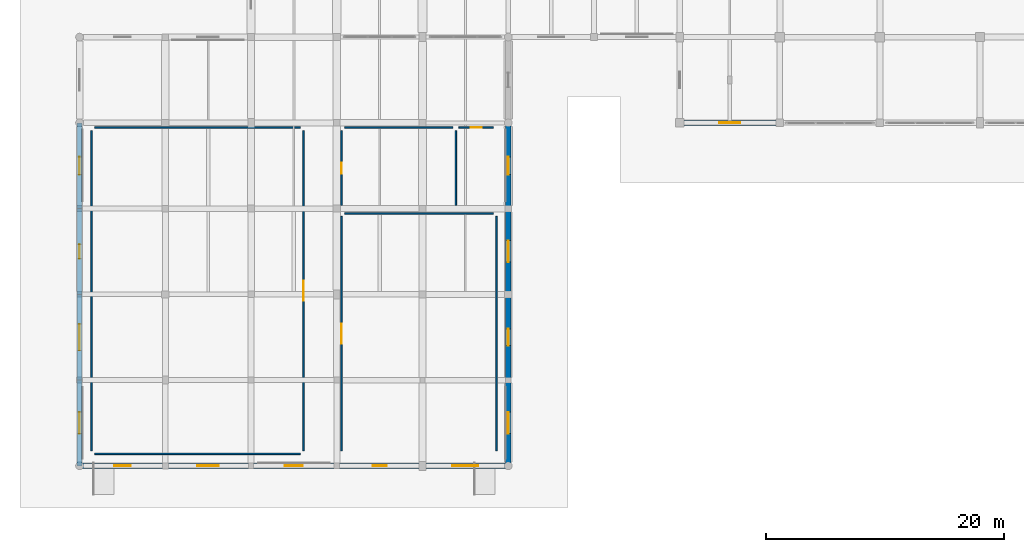
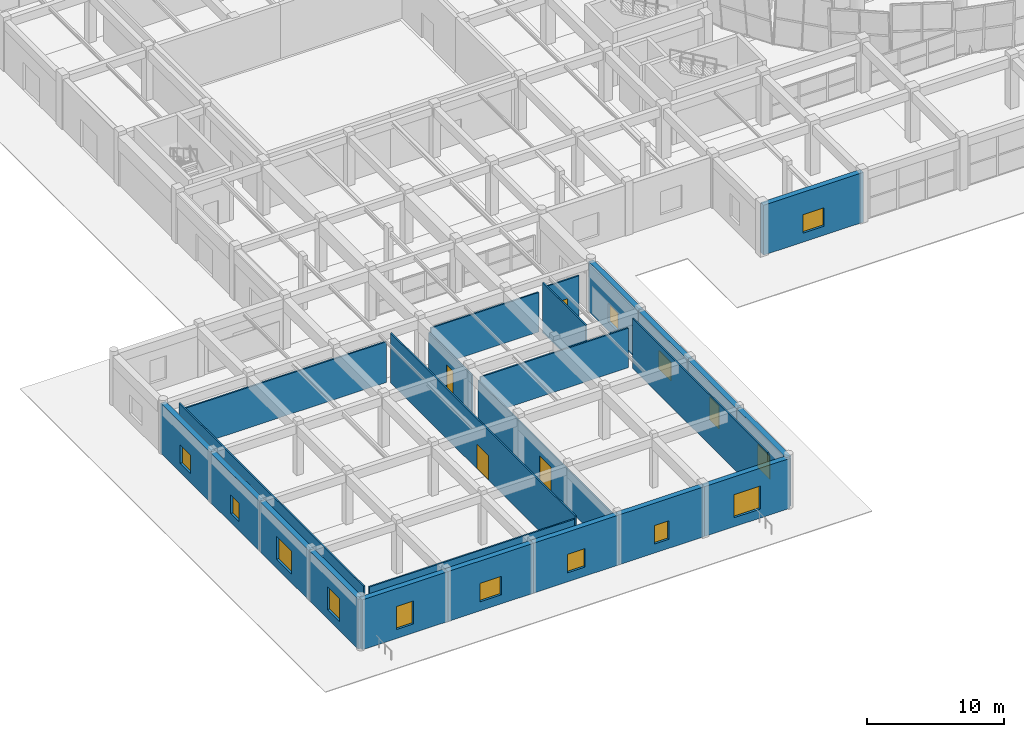
# One storey, part 45 of 72: 25 walls, 14 windows, 4 doors, 18 openings.
"""IFC4 building model written with IfcOpenShell, lengths in metres."""

import ifcopenshell
import ifcopenshell.guid

model = None  # the IFC model being written
_history = None  # IfcOwnerHistory: only IFC2X3 demands one
_inside = {}  # id of a spatial element -> (the spatial element, [elements in it])
_under = {}  # id of a project, library or spatial element -> (it, [spatial elements below it])
_declared = {}  # id of a project -> (the project, [libraries it declares])
_typed = {}  # id of a type object -> (the type object, [elements of that type])
_made_of = {}  # id of a material, layer set ... -> (it, [elements and type objects made of it])


def new_model(schema):
    """Start an empty IFC model of exactly this schema.

    Asked for "IFC4X3", IfcOpenShell would pick the latest addendum, in which some entities
    have other attributes; the version numbers below select the first issue.
    IFC2X3 requires an IfcOwnerHistory on every rooted entity: one is made here for all.
    """
    global model, _history
    if schema == "IFC4X3":
        model = ifcopenshell.file(schema_version=(4, 3, 0, 0))
    else:
        model = ifcopenshell.file(schema=schema)
    _inside.clear()
    _under.clear()
    _declared.clear()
    _typed.clear()
    _made_of.clear()
    _history = None
    if model.schema == "IFC2X3":
        org = make("IfcOrganization", Name="unknown")
        user = make(
            "IfcPersonAndOrganization",
            ThePerson=make("IfcPerson", FamilyName="unknown"),
            TheOrganization=org,
        )
        app = make(
            "IfcApplication",
            ApplicationDeveloper=org,
            Version="unknown",
            ApplicationFullName="unknown",
            ApplicationIdentifier="unknown",
        )
        _history = make(
            "IfcOwnerHistory",
            OwningUser=user,
            OwningApplication=app,
            ChangeAction="ADDED",
            CreationDate=0,
        )
    return model


def make(cls, **values):
    """One entity of the class cls with the attributes given. An attribute that is None is left unset."""
    return model.create_entity(
        cls, **{name: value for name, value in values.items() if value is not None}
    )


def rooted(cls, **values):
    """An entity with a GlobalId (a new one), such as an element, a storey or a relation."""
    return make(cls, GlobalId=ifcopenshell.guid.new(), OwnerHistory=_history, **values)


def si_unit(unit_type, name, prefix=None):
    """IfcSIUnit, for example si_unit("LENGTHUNIT", "METRE", prefix="MILLI")."""
    return make("IfcSIUnit", UnitType=unit_type, Prefix=prefix, Name=name)


def assignment(units):
    """IfcUnitAssignment: the units of a project."""
    return None if units is None else make("IfcUnitAssignment", Units=units)


def point(xyz):
    """IfcCartesianPoint."""
    return None if xyz is None else make("IfcCartesianPoint", Coordinates=xyz)


def direction(xyz):
    """IfcDirection."""
    return None if xyz is None else make("IfcDirection", DirectionRatios=xyz)


def frame(location, z_axis=None, x_axis=None):
    """IfcAxis2Placement3D, a coordinate frame: its origin and axes. An axis left out is left unset."""
    return make(
        "IfcAxis2Placement3D",
        Location=point(location),
        Axis=direction(z_axis),
        RefDirection=direction(x_axis),
    )


def frame_2d(location, x_axis=None):
    """IfcAxis2Placement2D, a coordinate frame in the plane: its origin and x axis."""
    return make(
        "IfcAxis2Placement2D", Location=point(location), RefDirection=direction(x_axis)
    )


def origin():
    """The frame at (0, 0, 0) with its axes left unset."""
    return frame((0.0, 0.0, 0.0))


def place(relative_to, where):
    """IfcLocalPlacement: puts the frame where relative to a parent placement (None: the world)."""
    return make(
        "IfcLocalPlacement", PlacementRelTo=relative_to, RelativePlacement=where
    )


def context(
    kind, dimensions, precision=None, world=None, true_north=None, identifier=None
):
    """IfcGeometricRepresentationContext, for example the 3D "Model" context."""
    return make(
        "IfcGeometricRepresentationContext",
        ContextIdentifier=identifier,
        ContextType=kind,
        CoordinateSpaceDimension=dimensions,
        Precision=precision,
        WorldCoordinateSystem=world,
        TrueNorth=true_north,
    )


def subcontext(parent, identifier, kind, view, scale=None):
    """IfcGeometricRepresentationSubContext, for example "Body" below "Model"."""
    return make(
        "IfcGeometricRepresentationSubContext",
        ContextIdentifier=identifier,
        ContextType=kind,
        ParentContext=parent,
        TargetScale=scale,
        TargetView=view,
    )


def project(units=None, contexts=None):
    """IfcProject with its units and contexts."""
    return rooted(
        "IfcProject",
        Name="project",
        RepresentationContexts=contexts,
        UnitsInContext=assignment(units),
    )


def spatial(cls, under=None, at=None, **own):
    """A site, building, storey or space (cls), placed at a placement, below another one or the project."""
    s = rooted(cls, ObjectPlacement=at, **own)
    if under is not None:
        _under.setdefault(under.id(), (under, []))[1].append(s)
    return s


def profile(cls, at=None, kind="AREA", **sizes):
    """A parametric profile (cls). Its sizes go by their IFC names, for example OverallWidth=200.0."""
    return make(cls, ProfileType=kind, Position=at, **sizes)


def rectangle(**sizes):
    """IfcRectangleProfileDef."""
    return profile("IfcRectangleProfileDef", **sizes)


def extrude(swept, where, along, depth):
    """IfcExtrudedAreaSolid: the profile swept, set in the frame where, extruded along a direction by depth."""
    return make(
        "IfcExtrudedAreaSolid",
        SweptArea=swept,
        Position=where,
        ExtrudedDirection=direction(along),
        Depth=depth,
    )


def shape(context_of_items, identifier, shape_type, items):
    """IfcShapeRepresentation: the items that make up one representation, for example the "Body"."""
    return make(
        "IfcShapeRepresentation",
        ContextOfItems=context_of_items,
        RepresentationIdentifier=identifier,
        RepresentationType=shape_type,
        Items=items,
    )


def material(Name=None, Category=None):
    """IfcMaterial."""
    return make("IfcMaterial", Name=Name, Category=Category)


def layer(
    of_material, thickness, ventilated=None, Name=None, Category=None, Priority=None
):
    """IfcMaterialLayer: one layer of a wall or slab, of a material (None: an air gap)."""
    return make(
        "IfcMaterialLayer",
        Material=of_material,
        LayerThickness=thickness,
        IsVentilated=ventilated,
        Name=Name,
        Category=Category,
        Priority=Priority,
    )


def layer_set(layers, Name=None):
    """IfcMaterialLayerSet."""
    return make("IfcMaterialLayerSet", MaterialLayers=layers, LayerSetName=Name)


def made_of(thing, what):
    """Note that an element or type object is made of a material, layer set ...; save() writes the relation."""
    if what is not None:
        _made_of.setdefault(what.id(), (what, []))[1].append(thing)
    return thing


def type_object(cls, material=None, **own):
    """A type object (cls), such as IfcWallType, which elements share."""
    return made_of(rooted(cls, **own), material)


def element(
    cls,
    number,
    at=None,
    inside=None,
    cuts=None,
    type_object=None,
    material=None,
    context=None,
    identifier="Body",
    shape_type=None,
    held_by="IfcProductDefinitionShape",
    body=None,
    shapes=None,
    **own,
):
    """One element of the class cls, such as IfcWall. Its Tag is "e" and its number.

    at: its placement. inside: the storey or other place that contains it. cuts: it is an
    opening in that element (IfcRelVoidsElement). A single representation is given by context,
    identifier, shape_type and body (its items); several are given by shapes. held_by: the class
    of the entity that holds the representations. save() writes the other relations.
    """
    e = rooted(cls, Tag="e%d" % number, ObjectPlacement=at, **own)
    if body is not None:
        shapes = [shape(context, identifier, shape_type, body)]
    if shapes is not None:
        e.Representation = make(held_by, Representations=shapes)
    if inside is not None:
        _inside.setdefault(inside.id(), (inside, []))[1].append(e)
    if cuts is not None:
        rooted(
            "IfcRelVoidsElement", RelatingBuildingElement=cuts, RelatedOpeningElement=e
        )
    if type_object is not None:
        _typed.setdefault(type_object.id(), (type_object, []))[1].append(e)
    return made_of(e, material)


def fill(opening, filler):
    """IfcRelFillsElement: the door or window that sits in an opening."""
    return rooted(
        "IfcRelFillsElement",
        RelatingOpeningElement=opening,
        RelatedBuildingElement=filler,
    )


def aggregate(whole, parts):
    """IfcRelAggregates: a whole, such as a stair, and the parts it consists of."""
    return rooted("IfcRelAggregates", RelatingObject=whole, RelatedObjects=parts)


def save(model, path):
    """Write the relations noted so far, then the file.

    IfcRelAggregates (storeys below a building ...), IfcRelContainedInSpatialStructure (elements
    in a storey), IfcRelDefinesByType, IfcRelAssociatesMaterial and IfcRelDeclares: one each for
    every whole, place, type object, material and project.
    """
    for whole, parts in _under.values():
        aggregate(whole, parts)
    for where, things in _inside.values():
        rooted(
            "IfcRelContainedInSpatialStructure",
            RelatedElements=things,
            RelatingStructure=where,
        )
    for kind, things in _typed.values():
        rooted("IfcRelDefinesByType", RelatedObjects=things, RelatingType=kind)
    for what, things in _made_of.values():
        rooted("IfcRelAssociatesMaterial", RelatedObjects=things, RelatingMaterial=what)
    for by, libraries in _declared.values():
        rooted("IfcRelDeclares", RelatingContext=by, RelatedDefinitions=libraries)
    model.write(path)


model = new_model("IFC4")

# Units and contexts
model_context = context("Model", 3, precision=1e-05, world=origin(), true_north=direction((0.0, 1.0)))
body_context = subcontext(model_context, "Body", "Model", "MODEL_VIEW")
ifc_project = project(units=[si_unit("LENGTHUNIT", "METRE"), si_unit("AREAUNIT", "SQUARE_METRE"), si_unit("VOLUMEUNIT", "CUBIC_METRE"), si_unit("PLANEANGLEUNIT", "RADIAN"), si_unit("MASSUNIT", "GRAM", prefix="KILO")], contexts=[model_context])

# Site, building, storey
site_placement = place(None, origin())
site = spatial("IfcSite", under=ifc_project, at=site_placement, CompositionType="ELEMENT")
building_placement = place(site_placement, origin())
building = spatial("IfcBuilding", under=site, at=building_placement, Name="Korsvaeld Concert Hall", CompositionType="ELEMENT")
storey_placement = place(building_placement, origin())
storey = spatial("IfcBuildingStorey", under=building, at=storey_placement, Name="L00", CompositionType="ELEMENT", Elevation=0.0)

# Wall, opening, window
ifc_material_1 = material(Name="Coastal dark grey granite plinth on Concrete C35/45", Category="masonry")
ifc_layer_1 = layer(ifc_material_1, 0.43994140625)
ifc_layer_set_1 = layer_set([ifc_layer_1], Name="Coastal dark grey granite plinth on Concrete C35/45")
wall_type_1 = type_object("IfcWallType", Name="WL-EXT-GRAN-440", PredefinedType="STANDARD", material=ifc_layer_set_1)
wall_1_placement = place(storey_placement, frame((58.800048828125, 28.800048828125, 0.0), z_axis=(0.0, 0.0, 1.0), x_axis=(-1.0, 0.0, 0.0)))
wall_1 = element("IfcWall", 1, at=wall_1_placement, inside=storey, type_object=wall_type_1, Name="Exterior sandstone wall L00-118", PredefinedType="STANDARD", context=body_context, shape_type="SweptSolid", body=[
    extrude(rectangle(XDim=8.400146484375, YDim=0.43994140625, at=frame_2d((4.2001953125, 0.0))), origin(), (0.0, 0.0, 1.0), 4.43994140625),
])
opening_1_placement = place(wall_1_placement, frame((3.300048828125, 0.0, 0.800048828125)))
opening_1 = element("IfcOpeningElement", 2, at=opening_1_placement, cuts=wall_1, Name="Opening WN-03", PredefinedType="OPENING", context=body_context, shape_type="SweptSolid", body=[
    extrude(rectangle(XDim=1.800048828125, YDim=1.64990234375, at=frame_2d((0.89990234375, 0.824951171875))), frame((0.0, 0.22998046875, 0.0), z_axis=(0.0, -1.0, 0.0), x_axis=(1.0, 0.0, 0.0)), (0.0, 0.0, 1.0), 0.4599609375),
])
ifc_material_2 = material(Name="Anodised bronze frame with acoustic triple glazing", Category="glass")
window_type_1 = type_object("IfcWindowType", Name="WIN-AC-180x165", PartitioningType="SINGLE_PANEL", PredefinedType="WINDOW", material=ifc_material_2)
window_1_placement = place(opening_1_placement, origin())
window_1 = element("IfcWindow", 3, at=window_1_placement, inside=storey, type_object=window_type_1, Name="Acoustic triple-glazed window L00-029", OverallHeight=1.64990234375, OverallWidth=1.800048828125, PartitioningType="SINGLE_PANEL", PredefinedType="WINDOW", context=body_context, shape_type="SweptSolid", body=[
    extrude(rectangle(XDim=1.800048828125, YDim=1.64990234375, at=frame_2d((0.89990234375, 0.824951171875))), frame((0.0, 0.030029296875, 0.0), z_axis=(0.0, -1.0, 0.0), x_axis=(1.0, 0.0, 0.0)), (0.0, 0.0, 1.0), 0.06005859375),
])
fill(opening_1, window_1)

wall_2_placement = place(storey_placement, frame((36.0, 28.800048828125, 0.0), z_axis=(0.0, 0.0, 1.0), x_axis=(0.0, -1.0, 0.0)))
wall_2 = element("IfcWall", 4, at=wall_2_placement, inside=storey, type_object=wall_type_1, Name="Exterior sandstone wall L00-123", PredefinedType="STANDARD", context=body_context, shape_type="SweptSolid", body=[
    extrude(rectangle(XDim=7.199951171875, YDim=0.43994140625, at=frame_2d((3.60009765625, 0.0))), origin(), (0.0, 0.0, 1.0), 4.43994140625),
])
opening_2_placement = place(wall_2_placement, frame((2.85009765625, 0.0, 0.800048828125)))
opening_2 = element("IfcOpeningElement", 5, at=opening_2_placement, cuts=wall_2, Name="Opening WN-02", PredefinedType="OPENING", context=body_context, shape_type="SweptSolid", body=[
    extrude(rectangle(XDim=1.5, YDim=1.64990234375, at=frame_2d((0.75, 0.824951171875))), frame((0.0, 0.22998046875, 0.0), z_axis=(0.0, -1.0, 0.0), x_axis=(1.0, 0.0, 0.0)), (0.0, 0.0, 1.0), 0.4599609375),
])
window_type_2 = type_object("IfcWindowType", Name="WIN-AC-150x165", PartitioningType="SINGLE_PANEL", PredefinedType="WINDOW", material=ifc_material_2)
window_2_placement = place(opening_2_placement, origin())
window_2 = element("IfcWindow", 6, at=window_2_placement, inside=storey, type_object=window_type_2, Name="Acoustic triple-glazed window L00-034", OverallHeight=1.64990234375, OverallWidth=1.5, PartitioningType="SINGLE_PANEL", PredefinedType="WINDOW", context=body_context, shape_type="SweptSolid", body=[
    extrude(rectangle(XDim=1.5, YDim=1.64990234375, at=frame_2d((0.75, 0.824951171875))), frame((0.0, 0.030029296875, 0.0), z_axis=(0.0, -1.0, 0.0), x_axis=(1.0, 0.0, 0.0)), (0.0, 0.0, 1.0), 0.06005859375),
])
fill(opening_2, window_2)

wall_3_placement = place(storey_placement, frame((36.0, 21.60009765625, 0.0), z_axis=(0.0, 0.0, 1.0), x_axis=(0.0, -1.0, 0.0)))
wall_3 = element("IfcWall", 7, at=wall_3_placement, inside=storey, type_object=wall_type_1, Name="Exterior sandstone wall L00-124", PredefinedType="STANDARD", context=body_context, shape_type="SweptSolid", body=[
    extrude(rectangle(XDim=7.2001953125, YDim=0.43994140625, at=frame_2d((3.60009765625, 0.0))), origin(), (0.0, 0.0, 1.0), 4.43994140625),
])
opening_3_placement = place(wall_3_placement, frame((2.699951171875, 0.0, 0.800048828125)))
opening_3 = element("IfcOpeningElement", 8, at=opening_3_placement, cuts=wall_3, Name="Opening WN-03", PredefinedType="OPENING", context=body_context, shape_type="SweptSolid", body=[
    extrude(rectangle(XDim=1.800048828125, YDim=1.64990234375, at=frame_2d((0.89990234375, 0.824951171875))), frame((0.0, 0.22998046875, 0.0), z_axis=(0.0, -1.0, 0.0), x_axis=(1.0, 0.0, 0.0)), (0.0, 0.0, 1.0), 0.4599609375),
])
window_3_placement = place(opening_3_placement, origin())
window_3 = element("IfcWindow", 9, at=window_3_placement, inside=storey, type_object=window_type_1, Name="Acoustic triple-glazed window L00-035", OverallHeight=1.64990234375, OverallWidth=1.800048828125, PartitioningType="SINGLE_PANEL", PredefinedType="WINDOW", context=body_context, shape_type="SweptSolid", body=[
    extrude(rectangle(XDim=1.800048828125, YDim=1.64990234375, at=frame_2d((0.89990234375, 0.824951171875))), frame((0.0, 0.030029296875, 0.0), z_axis=(0.0, -1.0, 0.0), x_axis=(1.0, 0.0, 0.0)), (0.0, 0.0, 1.0), 0.06005859375),
])
fill(opening_3, window_3)

wall_4_placement = place(storey_placement, frame((36.0, 14.39990234375, 0.0), z_axis=(0.0, 0.0, 1.0), x_axis=(0.0, -1.0, 0.0)))
wall_4 = element("IfcWall", 10, at=wall_4_placement, inside=storey, type_object=wall_type_1, Name="Exterior sandstone wall L00-125", PredefinedType="STANDARD", context=body_context, shape_type="SweptSolid", body=[
    extrude(rectangle(XDim=7.199951171875, YDim=0.43994140625, at=frame_2d((3.60009765625, 0.0))), origin(), (0.0, 0.0, 1.0), 4.43994140625),
])
opening_4_placement = place(wall_4_placement, frame((2.89990234375, 0.0, 0.800048828125)))
opening_4 = element("IfcOpeningElement", 11, at=opening_4_placement, cuts=wall_4, Name="Opening WN-11", PredefinedType="OPENING", context=body_context, shape_type="SweptSolid", body=[
    extrude(rectangle(XDim=1.39990234375, YDim=2.050048828125, at=frame_2d((0.699951171875, 1.02490234375))), frame((0.0, 0.22998046875, 0.0), z_axis=(0.0, -1.0, 0.0), x_axis=(1.0, 0.0, 0.0)), (0.0, 0.0, 1.0), 0.4599609375),
])
window_type_3 = type_object("IfcWindowType", Name="WIN-AC-140x205", PartitioningType="SINGLE_PANEL", PredefinedType="WINDOW", material=ifc_material_2)
window_4_placement = place(opening_4_placement, origin())
window_4 = element("IfcWindow", 12, at=window_4_placement, inside=storey, type_object=window_type_3, Name="Acoustic triple-glazed window L00-036", OverallHeight=2.050048828125, OverallWidth=1.39990234375, PartitioningType="SINGLE_PANEL", PredefinedType="WINDOW", context=body_context, shape_type="SweptSolid", body=[
    extrude(rectangle(XDim=1.39990234375, YDim=2.050048828125, at=frame_2d((0.699951171875, 1.02490234375))), frame((0.0, 0.030029296875, 0.0), z_axis=(0.0, -1.0, 0.0), x_axis=(1.0, 0.0, 0.0)), (0.0, 0.0, 1.0), 0.06005859375),
])
fill(opening_4, window_4)

wall_5_placement = place(storey_placement, frame((36.0, 7.199951171875, 0.0), z_axis=(0.0, 0.0, 1.0), x_axis=(0.0, -1.0, 0.0)))
wall_5 = element("IfcWall", 13, at=wall_5_placement, inside=storey, type_object=wall_type_1, Name="Exterior sandstone wall L00-126", PredefinedType="STANDARD", context=body_context, shape_type="SweptSolid", body=[
    extrude(rectangle(XDim=7.199951171875, YDim=0.43994140625, at=frame_2d((3.60009765625, 0.0))), origin(), (0.0, 0.0, 1.0), 4.43994140625),
])
opening_5_placement = place(wall_5_placement, frame((2.699951171875, 0.0, 0.800048828125)))
opening_5 = element("IfcOpeningElement", 14, at=opening_5_placement, cuts=wall_5, Name="Opening WN-12", PredefinedType="OPENING", context=body_context, shape_type="SweptSolid", body=[
    extrude(rectangle(XDim=1.800048828125, YDim=2.050048828125, at=frame_2d((0.89990234375, 1.02490234375))), frame((0.0, 0.22998046875, 0.0), z_axis=(0.0, -1.0, 0.0), x_axis=(1.0, 0.0, 0.0)), (0.0, 0.0, 1.0), 0.4599609375),
])
window_type_4 = type_object("IfcWindowType", Name="WIN-AC-180x205", PartitioningType="SINGLE_PANEL", PredefinedType="WINDOW", material=ifc_material_2)
window_5_placement = place(opening_5_placement, origin())
window_5 = element("IfcWindow", 15, at=window_5_placement, inside=storey, type_object=window_type_4, Name="Acoustic triple-glazed window L00-037", OverallHeight=2.050048828125, OverallWidth=1.800048828125, PartitioningType="SINGLE_PANEL", PredefinedType="WINDOW", context=body_context, shape_type="SweptSolid", body=[
    extrude(rectangle(XDim=1.800048828125, YDim=2.050048828125, at=frame_2d((0.89990234375, 1.02490234375))), frame((0.0, 0.030029296875, 0.0), z_axis=(0.0, -1.0, 0.0), x_axis=(1.0, 0.0, 0.0)), (0.0, 0.0, 1.0), 0.06005859375),
])
fill(opening_5, window_5)

wall_6_placement = place(storey_placement, frame((36.0, 0.0, 0.0), z_axis=(0.0, 0.0, 1.0), x_axis=(-1.0, 0.0, 0.0)))
wall_6 = element("IfcWall", 16, at=wall_6_placement, inside=storey, type_object=wall_type_1, Name="Exterior sandstone wall L00-127", PredefinedType="STANDARD", context=body_context, shape_type="SweptSolid", body=[
    extrude(rectangle(XDim=7.199951171875, YDim=0.43994140625, at=frame_2d((3.60009765625, 0.0))), origin(), (0.0, 0.0, 1.0), 4.43994140625),
])
opening_6_placement = place(wall_6_placement, frame((2.5, 0.0, 0.800048828125)))
opening_6 = element("IfcOpeningElement", 17, at=opening_6_placement, cuts=wall_6, Name="Opening WN-13", PredefinedType="OPENING", context=body_context, shape_type="SweptSolid", body=[
    extrude(rectangle(XDim=2.199951171875, YDim=2.050048828125, at=frame_2d((1.10009765625, 1.02490234375))), frame((0.0, 0.22998046875, 0.0), z_axis=(0.0, -1.0, 0.0), x_axis=(1.0, 0.0, 0.0)), (0.0, 0.0, 1.0), 0.4599609375),
])
window_type_5 = type_object("IfcWindowType", Name="WIN-AC-220x205", PartitioningType="SINGLE_PANEL", PredefinedType="WINDOW", material=ifc_material_2)
window_6_placement = place(opening_6_placement, origin())
window_6 = element("IfcWindow", 18, at=window_6_placement, inside=storey, type_object=window_type_5, Name="Acoustic triple-glazed window L00-038", OverallHeight=2.050048828125, OverallWidth=2.199951171875, PartitioningType="SINGLE_PANEL", PredefinedType="WINDOW", context=body_context, shape_type="SweptSolid", body=[
    extrude(rectangle(XDim=2.199951171875, YDim=2.050048828125, at=frame_2d((1.10009765625, 1.02490234375))), frame((0.0, 0.030029296875, 0.0), z_axis=(0.0, -1.0, 0.0), x_axis=(1.0, 0.0, 0.0)), (0.0, 0.0, 1.0), 0.06005859375),
])
fill(opening_6, window_6)

wall_7_placement = place(storey_placement, frame((28.800048828125, 0.0, 0.0), z_axis=(0.0, 0.0, 1.0), x_axis=(-1.0, 0.0, 0.0)))
wall_7 = element("IfcWall", 19, at=wall_7_placement, inside=storey, type_object=wall_type_1, Name="Exterior sandstone wall L00-128", PredefinedType="STANDARD", context=body_context, shape_type="SweptSolid", body=[
    extrude(rectangle(XDim=7.199951171875, YDim=0.43994140625, at=frame_2d((3.60009765625, 0.0))), origin(), (0.0, 0.0, 1.0), 4.43994140625),
])
opening_7_placement = place(wall_7_placement, frame((3.0, 0.0, 0.800048828125)))
opening_7 = element("IfcOpeningElement", 20, at=opening_7_placement, cuts=wall_7, Name="Opening WN-01", PredefinedType="OPENING", context=body_context, shape_type="SweptSolid", body=[
    extrude(rectangle(XDim=1.199951171875, YDim=1.64990234375, at=frame_2d((0.60009765625, 0.824951171875))), frame((0.0, 0.22998046875, 0.0), z_axis=(0.0, -1.0, 0.0), x_axis=(1.0, 0.0, 0.0)), (0.0, 0.0, 1.0), 0.4599609375),
])
window_type_6 = type_object("IfcWindowType", Name="WIN-AC-120x165", PartitioningType="SINGLE_PANEL", PredefinedType="WINDOW", material=ifc_material_2)
window_7_placement = place(opening_7_placement, origin())
window_7 = element("IfcWindow", 21, at=window_7_placement, inside=storey, type_object=window_type_6, Name="Acoustic triple-glazed window L00-039", OverallHeight=1.64990234375, OverallWidth=1.199951171875, PartitioningType="SINGLE_PANEL", PredefinedType="WINDOW", context=body_context, shape_type="SweptSolid", body=[
    extrude(rectangle(XDim=1.199951171875, YDim=1.64990234375, at=frame_2d((0.60009765625, 0.824951171875))), frame((0.0, 0.030029296875, 0.0), z_axis=(0.0, -1.0, 0.0), x_axis=(1.0, 0.0, 0.0)), (0.0, 0.0, 1.0), 0.06005859375),
])
fill(opening_7, window_7)

wall_8_placement = place(storey_placement, frame((21.60009765625, 0.0, 0.0), z_axis=(0.0, 0.0, 1.0), x_axis=(-1.0, 0.0, 0.0)))
wall_8 = element("IfcWall", 22, at=wall_8_placement, inside=storey, type_object=wall_type_1, Name="Exterior sandstone wall L00-129", PredefinedType="STANDARD", context=body_context, shape_type="SweptSolid", body=[
    extrude(rectangle(XDim=7.2001953125, YDim=0.43994140625, at=frame_2d((3.60009765625, 0.0))), origin(), (0.0, 0.0, 1.0), 4.43994140625),
])
opening_8_placement = place(wall_8_placement, frame((2.85009765625, 0.0, 0.800048828125)))
opening_8 = element("IfcOpeningElement", 23, at=opening_8_placement, cuts=wall_8, Name="Opening WN-02", PredefinedType="OPENING", context=body_context, shape_type="SweptSolid", body=[
    extrude(rectangle(XDim=1.5, YDim=1.64990234375, at=frame_2d((0.75, 0.824951171875))), frame((0.0, 0.22998046875, 0.0), z_axis=(0.0, -1.0, 0.0), x_axis=(1.0, 0.0, 0.0)), (0.0, 0.0, 1.0), 0.4599609375),
])
window_8_placement = place(opening_8_placement, origin())
window_8 = element("IfcWindow", 24, at=window_8_placement, inside=storey, type_object=window_type_2, Name="Acoustic triple-glazed window L00-040", OverallHeight=1.64990234375, OverallWidth=1.5, PartitioningType="SINGLE_PANEL", PredefinedType="WINDOW", context=body_context, shape_type="SweptSolid", body=[
    extrude(rectangle(XDim=1.5, YDim=1.64990234375, at=frame_2d((0.75, 0.824951171875))), frame((0.0, 0.030029296875, 0.0), z_axis=(0.0, -1.0, 0.0), x_axis=(1.0, 0.0, 0.0)), (0.0, 0.0, 1.0), 0.06005859375),
])
fill(opening_8, window_8)

wall_9_placement = place(storey_placement, frame((14.39990234375, 0.0, 0.0), z_axis=(0.0, 0.0, 1.0), x_axis=(-1.0, 0.0, 0.0)))
wall_9 = element("IfcWall", 25, at=wall_9_placement, inside=storey, type_object=wall_type_1, Name="Exterior sandstone wall L00-130", PredefinedType="STANDARD", context=body_context, shape_type="SweptSolid", body=[
    extrude(rectangle(XDim=7.199951171875, YDim=0.43994140625, at=frame_2d((3.60009765625, 0.0))), origin(), (0.0, 0.0, 1.0), 4.43994140625),
])
opening_9_placement = place(wall_9_placement, frame((2.699951171875, 0.0, 0.800048828125)))
opening_9 = element("IfcOpeningElement", 26, at=opening_9_placement, cuts=wall_9, Name="Opening WN-03", PredefinedType="OPENING", context=body_context, shape_type="SweptSolid", body=[
    extrude(rectangle(XDim=1.800048828125, YDim=1.64990234375, at=frame_2d((0.89990234375, 0.824951171875))), frame((0.0, 0.22998046875, 0.0), z_axis=(0.0, -1.0, 0.0), x_axis=(1.0, 0.0, 0.0)), (0.0, 0.0, 1.0), 0.4599609375),
])
window_9_placement = place(opening_9_placement, origin())
window_9 = element("IfcWindow", 27, at=window_9_placement, inside=storey, type_object=window_type_1, Name="Acoustic triple-glazed window L00-041", OverallHeight=1.64990234375, OverallWidth=1.800048828125, PartitioningType="SINGLE_PANEL", PredefinedType="WINDOW", context=body_context, shape_type="SweptSolid", body=[
    extrude(rectangle(XDim=1.800048828125, YDim=1.64990234375, at=frame_2d((0.89990234375, 0.824951171875))), frame((0.0, 0.030029296875, 0.0), z_axis=(0.0, -1.0, 0.0), x_axis=(1.0, 0.0, 0.0)), (0.0, 0.0, 1.0), 0.06005859375),
])
fill(opening_9, window_9)

wall_10_placement = place(storey_placement, frame((7.199951171875, 0.0, 0.0), z_axis=(0.0, 0.0, 1.0), x_axis=(-1.0, 0.0, 0.0)))
wall_10 = element("IfcWall", 28, at=wall_10_placement, inside=storey, type_object=wall_type_1, Name="Exterior sandstone wall L00-131", PredefinedType="STANDARD", context=body_context, shape_type="SweptSolid", body=[
    extrude(rectangle(XDim=7.199951171875, YDim=0.43994140625, at=frame_2d((3.60009765625, 0.0))), origin(), (0.0, 0.0, 1.0), 4.43994140625),
])
opening_10_placement = place(wall_10_placement, frame((2.89990234375, 0.0, 0.800048828125)))
opening_10 = element("IfcOpeningElement", 29, at=opening_10_placement, cuts=wall_10, Name="Opening WN-11", PredefinedType="OPENING", context=body_context, shape_type="SweptSolid", body=[
    extrude(rectangle(XDim=1.39990234375, YDim=2.050048828125, at=frame_2d((0.699951171875, 1.02490234375))), frame((0.0, 0.22998046875, 0.0), z_axis=(0.0, -1.0, 0.0), x_axis=(1.0, 0.0, 0.0)), (0.0, 0.0, 1.0), 0.4599609375),
])
window_10_placement = place(opening_10_placement, origin())
window_10 = element("IfcWindow", 30, at=window_10_placement, inside=storey, type_object=window_type_3, Name="Acoustic triple-glazed window L00-042", OverallHeight=2.050048828125, OverallWidth=1.39990234375, PartitioningType="SINGLE_PANEL", PredefinedType="WINDOW", context=body_context, shape_type="SweptSolid", body=[
    extrude(rectangle(XDim=1.39990234375, YDim=2.050048828125, at=frame_2d((0.699951171875, 1.02490234375))), frame((0.0, 0.030029296875, 0.0), z_axis=(0.0, -1.0, 0.0), x_axis=(1.0, 0.0, 0.0)), (0.0, 0.0, 1.0), 0.06005859375),
])
fill(opening_10, window_10)

wall_11_placement = place(storey_placement, frame((0.0, 0.0, 0.0), z_axis=(0.0, 0.0, 1.0), x_axis=(0.0, 1.0, 0.0)))
wall_11 = element("IfcWall", 31, at=wall_11_placement, inside=storey, type_object=wall_type_1, Name="Exterior sandstone wall L00-132", PredefinedType="STANDARD", context=body_context, shape_type="SweptSolid", body=[
    extrude(rectangle(XDim=7.199951171875, YDim=0.43994140625, at=frame_2d((3.60009765625, 0.0))), origin(), (0.0, 0.0, 1.0), 4.43994140625),
])
opening_11_placement = place(wall_11_placement, frame((2.699951171875, 0.0, 0.800048828125)))
opening_11 = element("IfcOpeningElement", 32, at=opening_11_placement, cuts=wall_11, Name="Opening WN-12", PredefinedType="OPENING", context=body_context, shape_type="SweptSolid", body=[
    extrude(rectangle(XDim=1.800048828125, YDim=2.050048828125, at=frame_2d((0.89990234375, 1.02490234375))), frame((0.0, 0.22998046875, 0.0), z_axis=(0.0, -1.0, 0.0), x_axis=(1.0, 0.0, 0.0)), (0.0, 0.0, 1.0), 0.4599609375),
])
window_11_placement = place(opening_11_placement, origin())
window_11 = element("IfcWindow", 33, at=window_11_placement, inside=storey, type_object=window_type_4, Name="Acoustic triple-glazed window L00-043", OverallHeight=2.050048828125, OverallWidth=1.800048828125, PartitioningType="SINGLE_PANEL", PredefinedType="WINDOW", context=body_context, shape_type="SweptSolid", body=[
    extrude(rectangle(XDim=1.800048828125, YDim=2.050048828125, at=frame_2d((0.89990234375, 1.02490234375))), frame((0.0, 0.030029296875, 0.0), z_axis=(0.0, -1.0, 0.0), x_axis=(1.0, 0.0, 0.0)), (0.0, 0.0, 1.0), 0.06005859375),
])
fill(opening_11, window_11)

wall_12_placement = place(storey_placement, frame((0.0, 7.199951171875, 0.0), z_axis=(0.0, 0.0, 1.0), x_axis=(0.0, 1.0, 0.0)))
wall_12 = element("IfcWall", 34, at=wall_12_placement, inside=storey, type_object=wall_type_1, Name="Exterior sandstone wall L00-133", PredefinedType="STANDARD", context=body_context, shape_type="SweptSolid", body=[
    extrude(rectangle(XDim=7.199951171875, YDim=0.43994140625, at=frame_2d((3.60009765625, 0.0))), origin(), (0.0, 0.0, 1.0), 4.43994140625),
])
opening_12_placement = place(wall_12_placement, frame((2.5, 0.0, 0.800048828125)))
opening_12 = element("IfcOpeningElement", 35, at=opening_12_placement, cuts=wall_12, Name="Opening WN-13", PredefinedType="OPENING", context=body_context, shape_type="SweptSolid", body=[
    extrude(rectangle(XDim=2.199951171875, YDim=2.050048828125, at=frame_2d((1.10009765625, 1.02490234375))), frame((0.0, 0.22998046875, 0.0), z_axis=(0.0, -1.0, 0.0), x_axis=(1.0, 0.0, 0.0)), (0.0, 0.0, 1.0), 0.4599609375),
])
window_12_placement = place(opening_12_placement, origin())
window_12 = element("IfcWindow", 36, at=window_12_placement, inside=storey, type_object=window_type_5, Name="Acoustic triple-glazed window L00-044", OverallHeight=2.050048828125, OverallWidth=2.199951171875, PartitioningType="SINGLE_PANEL", PredefinedType="WINDOW", context=body_context, shape_type="SweptSolid", body=[
    extrude(rectangle(XDim=2.199951171875, YDim=2.050048828125, at=frame_2d((1.10009765625, 1.02490234375))), frame((0.0, 0.030029296875, 0.0), z_axis=(0.0, -1.0, 0.0), x_axis=(1.0, 0.0, 0.0)), (0.0, 0.0, 1.0), 0.06005859375),
])
fill(opening_12, window_12)

wall_13_placement = place(storey_placement, frame((0.0, 14.39990234375, 0.0), z_axis=(0.0, 0.0, 1.0), x_axis=(0.0, 1.0, 0.0)))
wall_13 = element("IfcWall", 37, at=wall_13_placement, inside=storey, type_object=wall_type_1, Name="Exterior sandstone wall L00-134", PredefinedType="STANDARD", context=body_context, shape_type="SweptSolid", body=[
    extrude(rectangle(XDim=7.2001953125, YDim=0.43994140625, at=frame_2d((3.60009765625, 0.0))), origin(), (0.0, 0.0, 1.0), 4.43994140625),
])
opening_13_placement = place(wall_13_placement, frame((3.0, 0.0, 0.800048828125)))
opening_13 = element("IfcOpeningElement", 38, at=opening_13_placement, cuts=wall_13, Name="Opening WN-01", PredefinedType="OPENING", context=body_context, shape_type="SweptSolid", body=[
    extrude(rectangle(XDim=1.199951171875, YDim=1.64990234375, at=frame_2d((0.60009765625, 0.824951171875))), frame((0.0, 0.22998046875, 0.0), z_axis=(0.0, -1.0, 0.0), x_axis=(1.0, 0.0, 0.0)), (0.0, 0.0, 1.0), 0.4599609375),
])
window_13_placement = place(opening_13_placement, origin())
window_13 = element("IfcWindow", 39, at=window_13_placement, inside=storey, type_object=window_type_6, Name="Acoustic triple-glazed window L00-045", OverallHeight=1.64990234375, OverallWidth=1.199951171875, PartitioningType="SINGLE_PANEL", PredefinedType="WINDOW", context=body_context, shape_type="SweptSolid", body=[
    extrude(rectangle(XDim=1.199951171875, YDim=1.64990234375, at=frame_2d((0.60009765625, 0.824951171875))), frame((0.0, 0.030029296875, 0.0), z_axis=(0.0, -1.0, 0.0), x_axis=(1.0, 0.0, 0.0)), (0.0, 0.0, 1.0), 0.06005859375),
])
fill(opening_13, window_13)

wall_14_placement = place(storey_placement, frame((0.0, 21.60009765625, 0.0), z_axis=(0.0, 0.0, 1.0), x_axis=(0.0, 1.0, 0.0)))
wall_14 = element("IfcWall", 40, at=wall_14_placement, inside=storey, type_object=wall_type_1, Name="Exterior sandstone wall L00-135", PredefinedType="STANDARD", context=body_context, shape_type="SweptSolid", body=[
    extrude(rectangle(XDim=7.199951171875, YDim=0.43994140625, at=frame_2d((3.60009765625, 0.0))), origin(), (0.0, 0.0, 1.0), 4.43994140625),
])
opening_14_placement = place(wall_14_placement, frame((2.85009765625, 0.0, 0.800048828125)))
opening_14 = element("IfcOpeningElement", 41, at=opening_14_placement, cuts=wall_14, Name="Opening WN-02", PredefinedType="OPENING", context=body_context, shape_type="SweptSolid", body=[
    extrude(rectangle(XDim=1.5, YDim=1.64990234375, at=frame_2d((0.75, 0.824951171875))), frame((0.0, 0.22998046875, 0.0), z_axis=(0.0, -1.0, 0.0), x_axis=(1.0, 0.0, 0.0)), (0.0, 0.0, 1.0), 0.4599609375),
])
window_14_placement = place(opening_14_placement, origin())
window_14 = element("IfcWindow", 42, at=window_14_placement, inside=storey, type_object=window_type_2, Name="Acoustic triple-glazed window L00-046", OverallHeight=1.64990234375, OverallWidth=1.5, PartitioningType="SINGLE_PANEL", PredefinedType="WINDOW", context=body_context, shape_type="SweptSolid", body=[
    extrude(rectangle(XDim=1.5, YDim=1.64990234375, at=frame_2d((0.75, 0.824951171875))), frame((0.0, 0.030029296875, 0.0), z_axis=(0.0, -1.0, 0.0), x_axis=(1.0, 0.0, 0.0)), (0.0, 0.0, 1.0), 0.06005859375),
])
fill(opening_14, window_14)

# Wall
ifc_material_3 = material(Name="Insulated acoustic gypsum partition")
ifc_layer_2 = layer(ifc_material_3, 0.125)
ifc_layer_set_2 = layer_set([ifc_layer_2], Name="Insulated acoustic gypsum partition")
wall_type_2 = type_object("IfcWallType", Name="WL-PART-125", PredefinedType="PARTITIONING", material=ifc_layer_set_2)
wall_15_placement = place(storey_placement, frame((1.260009765625, 1.0, 0.0), z_axis=(0.0, 0.0, 1.0), x_axis=(1.0, 0.0, 0.0)))
element("IfcWall", 43, at=wall_15_placement, inside=storey, type_object=wall_type_2, Name="Interior partition L00-07 S", PredefinedType="PARTITIONING", context=body_context, shape_type="SweptSolid", body=[
    extrude(rectangle(XDim=17.280029296875, YDim=0.125, at=frame_2d((8.64013671875, 0.0))), origin(), (0.0, 0.0, 1.0), 4.43994140625),
])

# Wall, opening, door
wall_16_placement = place(storey_placement, frame((18.800048828125, 1.260009765625, 0.0), z_axis=(0.0, 0.0, 1.0), x_axis=(0.0, 1.0, 0.0)))
wall_16 = element("IfcWall", 44, at=wall_16_placement, inside=storey, type_object=wall_type_2, Name="Interior partition L00-07 E", PredefinedType="PARTITIONING", context=body_context, shape_type="SweptSolid", body=[
    extrude(rectangle(XDim=26.8798828125, YDim=0.125, at=frame_2d((13.43994140625, 0.0))), origin(), (0.0, 0.0, 1.0), 4.43994140625),
])
opening_15_placement = place(wall_16_placement, frame((12.590087890625, 0.0, 0.0)))
opening_15 = element("IfcOpeningElement", 45, at=opening_15_placement, cuts=wall_16, Name="Opening ID-06", PredefinedType="OPENING", context=body_context, shape_type="SweptSolid", body=[
    extrude(rectangle(XDim=1.699951171875, YDim=2.199951171875, at=frame_2d((0.85009765625, 1.10009765625))), frame((0.0, 0.072509765625, 0.0), z_axis=(0.0, -1.0, 0.0), x_axis=(1.0, 0.0, 0.0)), (0.0, 0.0, 1.0), 0.14501953125),
])
ifc_material_4 = material(Name="Glazed oak foyer double door")
door_type_1 = type_object("IfcDoorType", Name="DR-INT-DBL-170x220", OperationType="DOUBLE_DOOR_SINGLE_SWING", PredefinedType="DOOR", material=ifc_material_4)
door_1_placement = place(opening_15_placement, origin())
door_1 = element("IfcDoor", 46, at=door_1_placement, inside=storey, type_object=door_type_1, Name="Charbagh Square Cafe door L00-07", OperationType="DOUBLE_DOOR_SINGLE_SWING", OverallHeight=2.199951171875, OverallWidth=1.699951171875, PredefinedType="DOOR", context=body_context, shape_type="SweptSolid", body=[
    extrude(rectangle(XDim=1.699951171875, YDim=2.199951171875, at=frame_2d((0.85009765625, 1.10009765625))), frame((0.0, 0.02490234375, 0.0), z_axis=(0.0, -1.0, 0.0), x_axis=(1.0, 0.0, 0.0)), (0.0, 0.0, 1.0), 0.050048828125),
])
fill(opening_15, door_1)

# Walls
wall_17_placement = place(storey_placement, frame((18.5400390625, 28.39990234375, 0.0), z_axis=(0.0, 0.0, 1.0), x_axis=(-1.0, 0.0, 0.0)))
element("IfcWall", 47, at=wall_17_placement, inside=storey, type_object=wall_type_2, Name="Interior partition L00-07 N", PredefinedType="PARTITIONING", context=body_context, shape_type="SweptSolid", body=[
    extrude(rectangle(XDim=17.280029296875, YDim=0.125, at=frame_2d((8.64013671875, 0.0))), origin(), (0.0, 0.0, 1.0), 3.614990234375),
])
wall_18_placement = place(storey_placement, frame((1.0, 28.139892578125, 0.0), z_axis=(0.0, 0.0, 1.0), x_axis=(0.0, -1.0, 0.0)))
element("IfcWall", 48, at=wall_18_placement, inside=storey, type_object=wall_type_2, Name="Interior partition L00-07 W", PredefinedType="PARTITIONING", context=body_context, shape_type="SweptSolid", body=[
    extrude(rectangle(XDim=26.8798828125, YDim=0.125, at=frame_2d((13.43994140625, 0.0))), origin(), (0.0, 0.0, 1.0), 4.43994140625),
])
wall_19_placement = place(storey_placement, frame((35.0, 1.260009765625, 0.0), z_axis=(0.0, 0.0, 1.0), x_axis=(0.0, 1.0, 0.0)))
element("IfcWall", 49, at=wall_19_placement, inside=storey, type_object=wall_type_2, Name="Interior partition L00-08 E", PredefinedType="PARTITIONING", context=body_context, shape_type="SweptSolid", body=[
    extrude(rectangle(XDim=19.679931640625, YDim=0.125, at=frame_2d((9.83984375, 0.0))), origin(), (0.0, 0.0, 1.0), 4.43994140625),
])
wall_20_placement = place(storey_placement, frame((34.739990234375, 21.199951171875, 0.0), z_axis=(0.0, 0.0, 1.0), x_axis=(-1.0, 0.0, 0.0)))
element("IfcWall", 50, at=wall_20_placement, inside=storey, type_object=wall_type_2, Name="Interior partition L00-08 N", PredefinedType="PARTITIONING", context=body_context, shape_type="SweptSolid", body=[
    extrude(rectangle(XDim=12.47998046875, YDim=0.125, at=frame_2d((6.239990234375, 0.0))), origin(), (0.0, 0.0, 1.0), 3.514892578125),
])

# Wall, opening, door
wall_21_placement = place(storey_placement, frame((22.0, 20.93994140625, 0.0), z_axis=(0.0, 0.0, 1.0), x_axis=(0.0, -1.0, 0.0)))
wall_21 = element("IfcWall", 51, at=wall_21_placement, inside=storey, type_object=wall_type_2, Name="Interior partition L00-08 W", PredefinedType="PARTITIONING", context=body_context, shape_type="SweptSolid", body=[
    extrude(rectangle(XDim=19.679931640625, YDim=0.125, at=frame_2d((9.83984375, 0.0))), origin(), (0.0, 0.0, 1.0), 3.465087890625),
])
opening_16_placement = place(wall_21_placement, frame((8.989990234375, 0.0, 0.0)))
opening_16 = element("IfcOpeningElement", 52, at=opening_16_placement, cuts=wall_21, Name="Opening ID-06", PredefinedType="OPENING", context=body_context, shape_type="SweptSolid", body=[
    extrude(rectangle(XDim=1.699951171875, YDim=2.199951171875, at=frame_2d((0.85009765625, 1.10009765625))), frame((0.0, 0.072509765625, 0.0), z_axis=(0.0, -1.0, 0.0), x_axis=(1.0, 0.0, 0.0)), (0.0, 0.0, 1.0), 0.14501953125),
])
door_2_placement = place(opening_16_placement, origin())
door_2 = element("IfcDoor", 53, at=door_2_placement, inside=storey, type_object=door_type_1, Name="Cafe Kitchen & Interval Bar West door L00-08", OperationType="DOUBLE_DOOR_SINGLE_SWING", OverallHeight=2.199951171875, OverallWidth=1.699951171875, PredefinedType="DOOR", context=body_context, shape_type="SweptSolid", body=[
    extrude(rectangle(XDim=1.699951171875, YDim=2.199951171875, at=frame_2d((0.85009765625, 1.10009765625))), frame((0.0, 0.02490234375, 0.0), z_axis=(0.0, -1.0, 0.0), x_axis=(1.0, 0.0, 0.0)), (0.0, 0.0, 1.0), 0.050048828125),
])
fill(opening_16, door_2)

# Walls
wall_22_placement = place(storey_placement, frame((31.60009765625, 21.860107421875, 0.0), z_axis=(0.0, 0.0, 1.0), x_axis=(0.0, 1.0, 0.0)))
element("IfcWall", 54, at=wall_22_placement, inside=storey, type_object=wall_type_2, Name="Interior partition L00-31 E", PredefinedType="PARTITIONING", context=body_context, shape_type="SweptSolid", body=[
    extrude(rectangle(XDim=6.27978515625, YDim=0.125, at=frame_2d((3.139892578125, 0.0))), origin(), (0.0, 0.0, 1.0), 4.43994140625),
])
wall_23_placement = place(storey_placement, frame((31.340087890625, 28.39990234375, 0.0), z_axis=(0.0, 0.0, 1.0), x_axis=(-1.0, 0.0, 0.0)))
element("IfcWall", 55, at=wall_23_placement, inside=storey, type_object=wall_type_2, Name="Interior partition L00-31 N", PredefinedType="PARTITIONING", context=body_context, shape_type="SweptSolid", body=[
    extrude(rectangle(XDim=9.080078125, YDim=0.125, at=frame_2d((4.5400390625, 0.0))), origin(), (0.0, 0.0, 1.0), 3.514892578125),
])

# Wall, opening, door
wall_24_placement = place(storey_placement, frame((22.0, 28.139892578125, 0.0), z_axis=(0.0, 0.0, 1.0), x_axis=(0.0, -1.0, 0.0)))
wall_24 = element("IfcWall", 56, at=wall_24_placement, inside=storey, type_object=wall_type_2, Name="Interior partition L00-31 W", PredefinedType="PARTITIONING", context=body_context, shape_type="SweptSolid", body=[
    extrude(rectangle(XDim=6.27978515625, YDim=0.125, at=frame_2d((3.139892578125, 0.0))), origin(), (0.0, 0.0, 1.0), 3.364990234375),
])
opening_17_placement = place(wall_24_placement, frame((2.669921875, 0.0, 0.0)))
opening_17 = element("IfcOpeningElement", 57, at=opening_17_placement, cuts=wall_24, Name="Opening ID-05", PredefinedType="OPENING", context=body_context, shape_type="SweptSolid", body=[
    extrude(rectangle(XDim=0.93994140625, YDim=2.10009765625, at=frame_2d((0.469970703125, 1.050048828125))), frame((0.0, 0.072509765625, 0.0), z_axis=(0.0, -1.0, 0.0), x_axis=(1.0, 0.0, 0.0)), (0.0, 0.0, 1.0), 0.14501953125),
])
ifc_material_5 = material(Name="Accessible washroom oak door")
door_type_2 = type_object("IfcDoorType", Name="DR-INT-WC-094x210", OperationType="NOTDEFINED", PredefinedType="DOOR", material=ifc_material_5)
door_3_placement = place(opening_17_placement, origin())
door_3 = element("IfcDoor", 58, at=door_3_placement, inside=storey, type_object=door_type_2, Name="Public Male & Female WC L00 West door L00-31", OperationType="SINGLE_SWING_LEFT", OverallHeight=2.10009765625, OverallWidth=0.93994140625, PredefinedType="DOOR", context=body_context, shape_type="SweptSolid", body=[
    extrude(rectangle(XDim=0.93994140625, YDim=2.10009765625, at=frame_2d((0.469970703125, 1.050048828125))), frame((0.0, 0.02490234375, 0.0), z_axis=(0.0, -1.0, 0.0), x_axis=(1.0, 0.0, 0.0)), (0.0, 0.0, 1.0), 0.050048828125),
])
fill(opening_17, door_3)

wall_25_placement = place(storey_placement, frame((34.739990234375, 28.39990234375, 0.0), z_axis=(0.0, 0.0, 1.0), x_axis=(-1.0, 0.0, 0.0)))
wall_25 = element("IfcWall", 59, at=wall_25_placement, inside=storey, type_object=wall_type_2, Name="Interior partition L00-32 N", PredefinedType="PARTITIONING", context=body_context, shape_type="SweptSolid", body=[
    extrude(rectangle(XDim=2.8798828125, YDim=0.125, at=frame_2d((1.43994140625, 0.0))), origin(), (0.0, 0.0, 1.0), 3.81494140625),
])
opening_18_placement = place(wall_25_placement, frame((0.969970703125, 0.0, 0.0)))
opening_18 = element("IfcOpeningElement", 60, at=opening_18_placement, cuts=wall_25, Name="Opening ID-05", PredefinedType="OPENING", context=body_context, shape_type="SweptSolid", body=[
    extrude(rectangle(XDim=0.93994140625, YDim=2.10009765625, at=frame_2d((0.469970703125, 1.050048828125))), frame((0.0, 0.072509765625, 0.0), z_axis=(0.0, -1.0, 0.0), x_axis=(1.0, 0.0, 0.0)), (0.0, 0.0, 1.0), 0.14501953125),
])
door_4_placement = place(opening_18_placement, origin())
door_4 = element("IfcDoor", 61, at=door_4_placement, inside=storey, type_object=door_type_2, Name="Accessible WC L00 West door L00-32", OperationType="SINGLE_SWING_RIGHT", OverallHeight=2.10009765625, OverallWidth=0.93994140625, PredefinedType="DOOR", context=body_context, shape_type="SweptSolid", body=[
    extrude(rectangle(XDim=0.93994140625, YDim=2.10009765625, at=frame_2d((0.469970703125, 1.050048828125))), frame((0.0, 0.02490234375, 0.0), z_axis=(0.0, -1.0, 0.0), x_axis=(1.0, 0.0, 0.0)), (0.0, 0.0, 1.0), 0.050048828125),
])
fill(opening_18, door_4)

save(model, "model.ifc")
